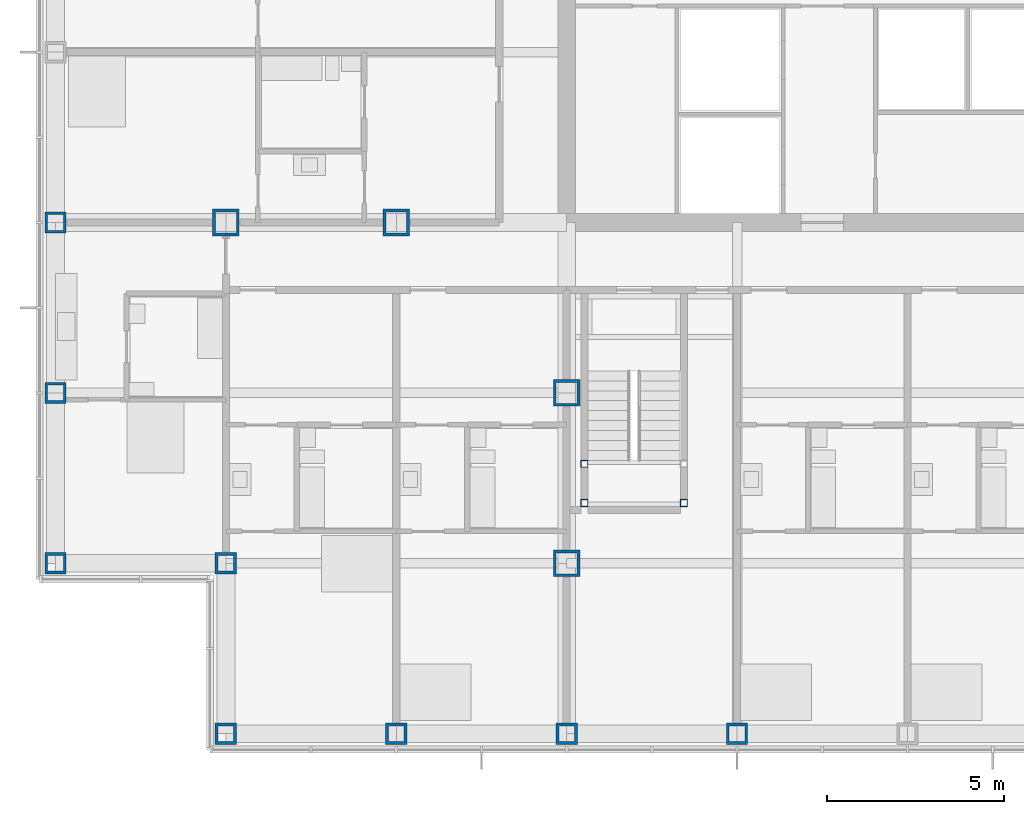
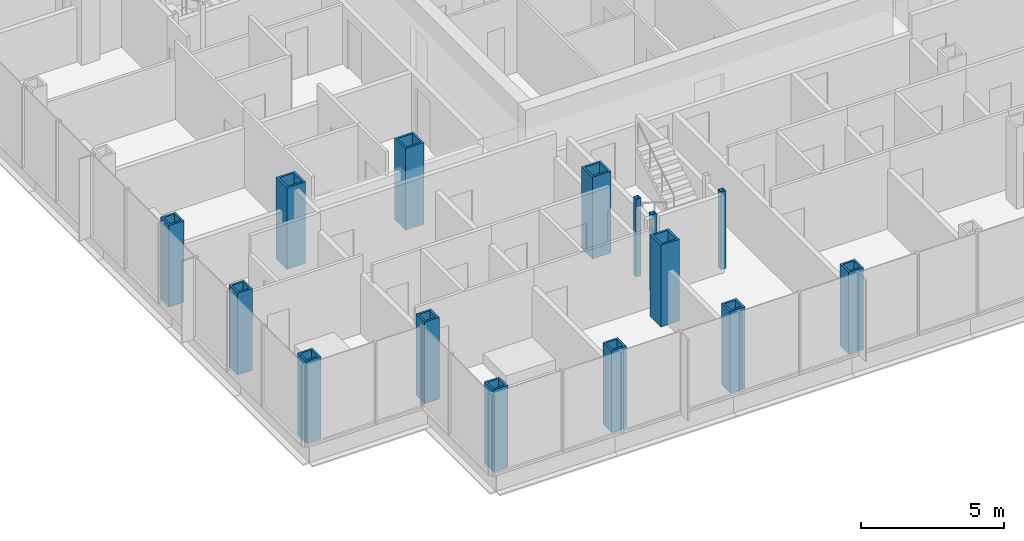
# One storey, part 1 of 22: 15 columns.
"""IFC4 building model written with IfcOpenShell, lengths in metres."""

from ifc_helpers import new_model, si_unit, direction, frame, origin, origin_2d, place, context, subcontext, project, spatial, hollow_rectangle, extrude, material, material_profile, profile_set, type_object, element, save


model = new_model("IFC4")

# Units and contexts
model_context = context("Model", 3, precision=1e-05, world=origin(), true_north=direction((0.0, 1.0)))
body_context = subcontext(model_context, "Body", "Model", "MODEL_VIEW")
ifc_project = project(units=[si_unit("LENGTHUNIT", "METRE"), si_unit("AREAUNIT", "SQUARE_METRE"), si_unit("VOLUMEUNIT", "CUBIC_METRE"), si_unit("PLANEANGLEUNIT", "RADIAN"), si_unit("MASSUNIT", "GRAM", prefix="KILO")], contexts=[model_context])

# Site, building, storey
site_placement = place(None, origin())
site = spatial("IfcSite", under=ifc_project, at=site_placement, CompositionType="ELEMENT")
building_placement = place(site_placement, origin())
building = spatial("IfcBuilding", under=site, at=building_placement, Name="Kvirike Care Tower", CompositionType="ELEMENT")
storey_placement = place(building_placement, frame((0.0, 0.0, 72.5)))
storey = spatial("IfcBuildingStorey", under=building, at=storey_placement, Name="L19", CompositionType="ELEMENT", Elevation=72.5)

# Columns
ifc_material_1 = material(Name="Steel S460", Category="steel")
ifc_material_profile_1 = material_profile(ifc_material_1, hollow_rectangle(XDim=0.60009765625, YDim=0.60009765625, WallThickness=0.080078125, at=origin_2d()), Name="BX 600x600x80")
ifc_profile_set_1 = profile_set([ifc_material_profile_1], Name="Steel S460")
column_type_1 = type_object("IfcColumnType", Name="COLUMN BX 600x600x80", PredefinedType="COLUMN", material=ifc_profile_set_1)
for number, where, z_axis, x_axis, name in (
    (1, (0.0, 19.199951171875, 0.0), (0.0, 0.0, 1.0), (0.0, 1.0, 0.0), "Column E3 L19"),
    (2, (0.0, 24.0, 0.0), (0.0, 0.0, 1.0), (1.0, 0.0, 0.0), "Column F3 L19"),
    (3, (0.0, 28.800048828125, 0.0), (0.0, 0.0, 1.0), (0.0, 1.0, 0.0), "Column G3 L19"),
    (4, (4.800048828125, 14.39990234375, 0.0), (0.0, 0.0, 1.0), (0.0, 1.0, 0.0), "Column D4 L19"),
    (5, (4.800048828125, 19.199951171875, 0.0), (0.0, 0.0, 1.0), (0.0, 1.0, 0.0), "Column E4 L19"),
    (6, (9.60009765625, 14.39990234375, 0.0), (0.0, 0.0, 1.0), (0.0, 1.0, 0.0), "Column D5 L19"),
    (7, (14.39990234375, 14.39990234375, 0.0), (0.0, 0.0, 1.0), (0.0, 1.0, 0.0), "Column D6 L19"),
    (8, (19.199951171875, 14.39990234375, 0.0), (0.0, 0.0, 1.0), (0.0, 1.0, 0.0), "Column D7 L19"),
):
    element("IfcColumn", number, at=place(storey_placement, frame(where, z_axis=z_axis, x_axis=x_axis)), inside=storey, type_object=column_type_1, Name=name, PredefinedType="COLUMN", context=body_context, shape_type="SweptSolid", body=[
        extrude(hollow_rectangle(XDim=0.60009765625, YDim=0.60009765625, WallThickness=0.080078125, at=origin_2d()), origin(), (0.0, 0.0, 1.0), 3.5),
    ])
ifc_material_2 = material(Name="Steel S460", Category="steel")
ifc_material_profile_2 = material_profile(ifc_material_2, hollow_rectangle(XDim=0.75, YDim=0.75, WallThickness=0.080078125, at=origin_2d()), Name="BX 750x750x80")
ifc_profile_set_2 = profile_set([ifc_material_profile_2], Name="Steel S460")
column_type_2 = type_object("IfcColumnType", Name="COLUMN BX 750x750x80", PredefinedType="COLUMN", material=ifc_profile_set_2)
for number, where, z_axis, x_axis, name in (
    (9, (4.800048828125, 28.800048828125, 0.0), (0.0, 0.0, 1.0), (0.0, 1.0, 0.0), "Column G4 L19"),
    (10, (9.60009765625, 28.800048828125, 0.0), (0.0, 0.0, 1.0), (0.0, 1.0, 0.0), "Column G5 L19"),
    (11, (14.39990234375, 19.199951171875, 0.0), (0.0, 0.0, 1.0), (1.0, 0.0, 0.0), "Column E6 L19"),
    (12, (14.39990234375, 24.0, 0.0), (0.0, 0.0, 1.0), (1.0, 0.0, 0.0), "Column F6 L19"),
):
    element("IfcColumn", number, at=place(storey_placement, frame(where, z_axis=z_axis, x_axis=x_axis)), inside=storey, type_object=column_type_2, Name=name, PredefinedType="COLUMN", context=body_context, shape_type="SweptSolid", body=[
        extrude(hollow_rectangle(XDim=0.75, YDim=0.75, WallThickness=0.080078125, at=origin_2d()), origin(), (0.0, 0.0, 1.0), 3.5),
    ])
ifc_material_3 = material(Name="Steel S460", Category="steel")
ifc_material_profile_3 = material_profile(ifc_material_3, hollow_rectangle(XDim=0.199951171875, YDim=0.199951171875, WallThickness=0.008056640625, at=origin_2d()), Name="SHS 200x200x8")
ifc_profile_set_3 = profile_set([ifc_material_profile_3], Name="Steel S460")
column_type_3 = type_object("IfcColumnType", Name="STAIR POST SHS 200x200x8", PredefinedType="COLUMN", material=ifc_profile_set_3)
for number, where, z_axis, x_axis, name in (
    (13, (14.89990234375, 20.89990234375, 0.0), (0.0, 0.0, 1.0), (1.0, 0.0, 0.0), "Stair 5 post 1 L19"),
    (14, (17.699951171875, 20.89990234375, 0.0), (0.0, 0.0, 1.0), (1.0, 0.0, 0.0), "Stair 5 post 2 L19"),
    (15, (14.89990234375, 22.0, 0.0), (0.0, 0.0, 1.0), (1.0, 0.0, 0.0), "Stair 5 post 3 L19"),
):
    element("IfcColumn", number, at=place(storey_placement, frame(where, z_axis=z_axis, x_axis=x_axis)), inside=storey, type_object=column_type_3, Name=name, PredefinedType="COLUMN", context=body_context, shape_type="SweptSolid", body=[
        extrude(hollow_rectangle(XDim=0.199951171875, YDim=0.199951171875, WallThickness=0.008056640625, at=origin_2d()), origin(), (0.0, 0.0, 1.0), 3.330078125),
    ])

save(model, "model.ifc")
